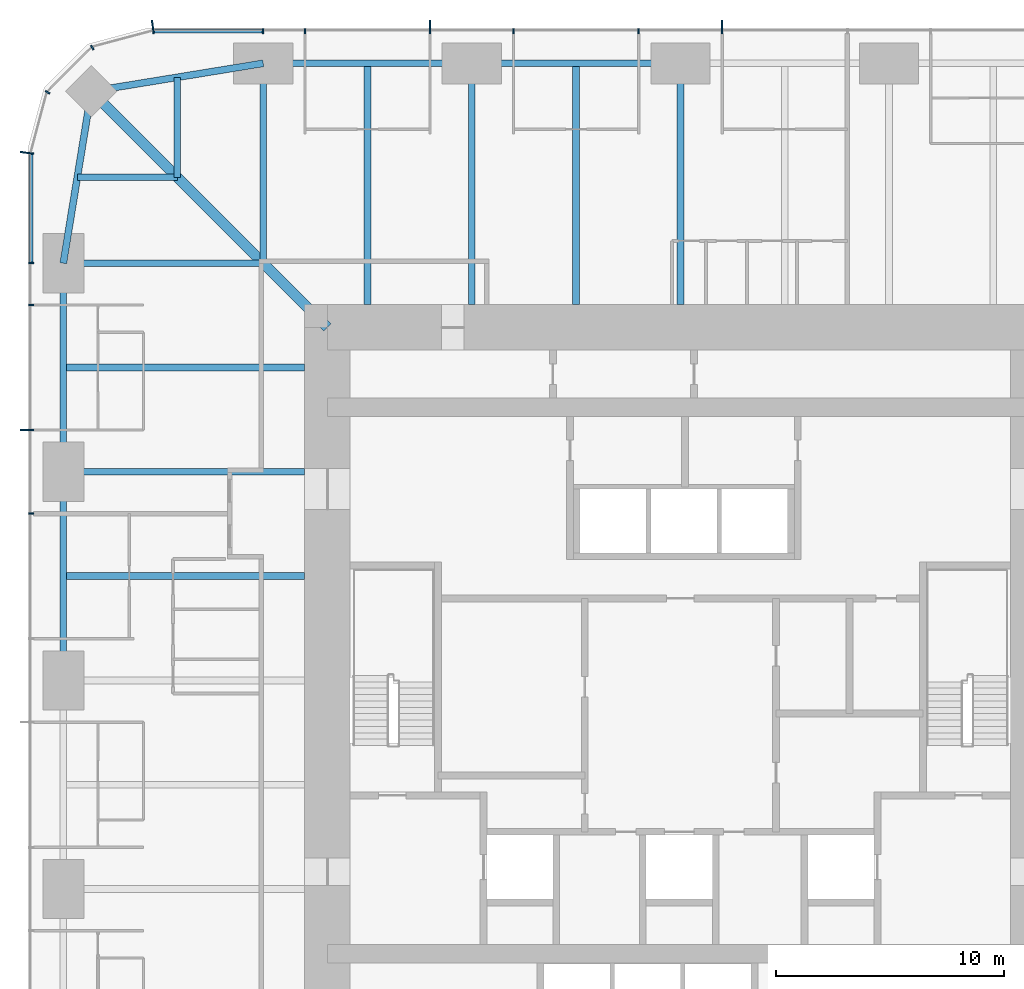
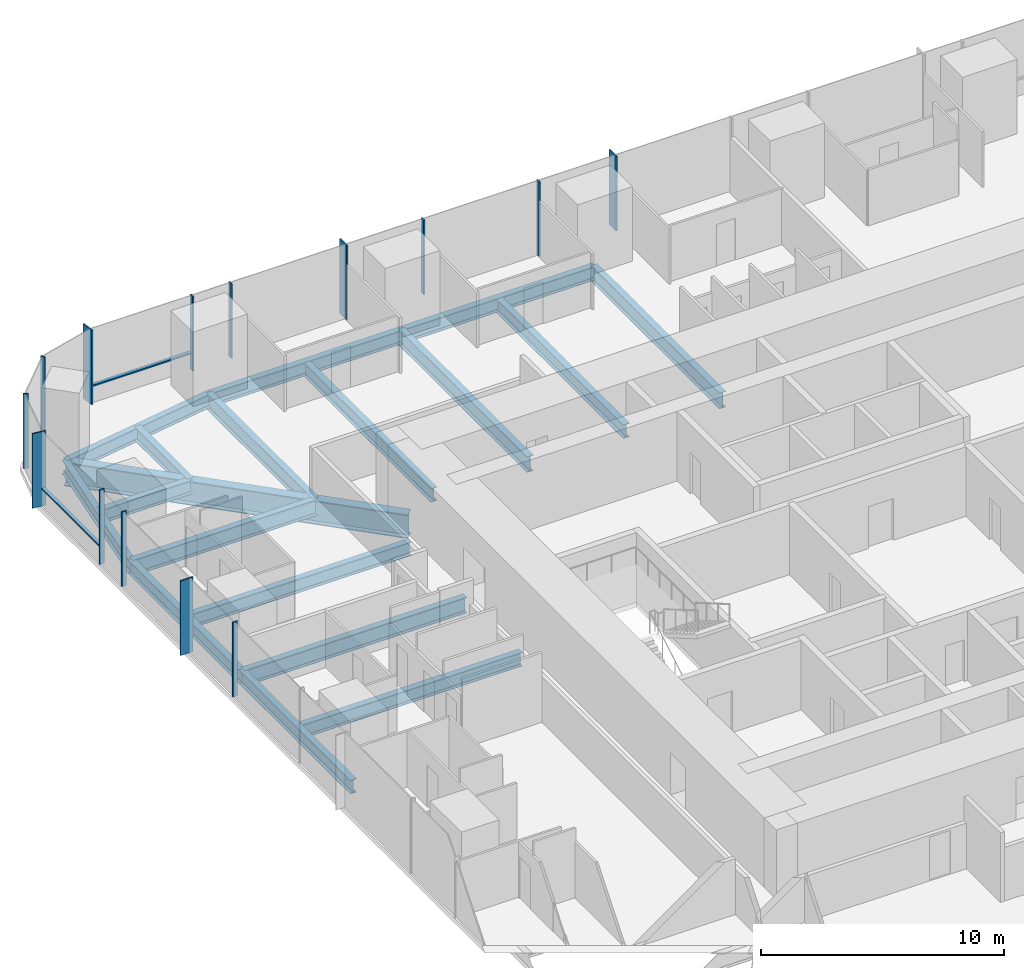
# One storey, part 5 of 13: 18 beams, 16 members, 3 elements without a shape of their own.
"""IFC4 building model written with IfcOpenShell, lengths in metres."""

import ifcopenshell
import ifcopenshell.guid

model = None  # the IFC model being written
_history = None  # IfcOwnerHistory: only IFC2X3 demands one
_inside = {}  # id of a spatial element -> (the spatial element, [elements in it])
_under = {}  # id of a project, library or spatial element -> (it, [spatial elements below it])
_declared = {}  # id of a project -> (the project, [libraries it declares])
_typed = {}  # id of a type object -> (the type object, [elements of that type])
_made_of = {}  # id of a material, layer set ... -> (it, [elements and type objects made of it])


def new_model(schema):
    """Start an empty IFC model of exactly this schema.

    Asked for "IFC4X3", IfcOpenShell would pick the latest addendum, in which some entities
    have other attributes; the version numbers below select the first issue.
    IFC2X3 requires an IfcOwnerHistory on every rooted entity: one is made here for all.
    """
    global model, _history
    if schema == "IFC4X3":
        model = ifcopenshell.file(schema_version=(4, 3, 0, 0))
    else:
        model = ifcopenshell.file(schema=schema)
    _inside.clear()
    _under.clear()
    _declared.clear()
    _typed.clear()
    _made_of.clear()
    _history = None
    if model.schema == "IFC2X3":
        org = make("IfcOrganization", Name="unknown")
        user = make(
            "IfcPersonAndOrganization",
            ThePerson=make("IfcPerson", FamilyName="unknown"),
            TheOrganization=org,
        )
        app = make(
            "IfcApplication",
            ApplicationDeveloper=org,
            Version="unknown",
            ApplicationFullName="unknown",
            ApplicationIdentifier="unknown",
        )
        _history = make(
            "IfcOwnerHistory",
            OwningUser=user,
            OwningApplication=app,
            ChangeAction="ADDED",
            CreationDate=0,
        )
    return model


def make(cls, **values):
    """One entity of the class cls with the attributes given. An attribute that is None is left unset."""
    return model.create_entity(
        cls, **{name: value for name, value in values.items() if value is not None}
    )


def rooted(cls, **values):
    """An entity with a GlobalId (a new one), such as an element, a storey or a relation."""
    return make(cls, GlobalId=ifcopenshell.guid.new(), OwnerHistory=_history, **values)


def si_unit(unit_type, name, prefix=None):
    """IfcSIUnit, for example si_unit("LENGTHUNIT", "METRE", prefix="MILLI")."""
    return make("IfcSIUnit", UnitType=unit_type, Prefix=prefix, Name=name)


def assignment(units):
    """IfcUnitAssignment: the units of a project."""
    return None if units is None else make("IfcUnitAssignment", Units=units)


def point(xyz):
    """IfcCartesianPoint."""
    return None if xyz is None else make("IfcCartesianPoint", Coordinates=xyz)


def direction(xyz):
    """IfcDirection."""
    return None if xyz is None else make("IfcDirection", DirectionRatios=xyz)


def frame(location, z_axis=None, x_axis=None):
    """IfcAxis2Placement3D, a coordinate frame: its origin and axes. An axis left out is left unset."""
    return make(
        "IfcAxis2Placement3D",
        Location=point(location),
        Axis=direction(z_axis),
        RefDirection=direction(x_axis),
    )


def frame_2d(location, x_axis=None):
    """IfcAxis2Placement2D, a coordinate frame in the plane: its origin and x axis."""
    return make(
        "IfcAxis2Placement2D", Location=point(location), RefDirection=direction(x_axis)
    )


def origin():
    """The frame at (0, 0, 0) with its axes left unset."""
    return frame((0.0, 0.0, 0.0))


def origin_2d():
    """The frame at (0, 0) in the plane with its x axis left unset."""
    return frame_2d((0.0, 0.0))


def place(relative_to, where):
    """IfcLocalPlacement: puts the frame where relative to a parent placement (None: the world)."""
    return make(
        "IfcLocalPlacement", PlacementRelTo=relative_to, RelativePlacement=where
    )


def context(
    kind, dimensions, precision=None, world=None, true_north=None, identifier=None
):
    """IfcGeometricRepresentationContext, for example the 3D "Model" context."""
    return make(
        "IfcGeometricRepresentationContext",
        ContextIdentifier=identifier,
        ContextType=kind,
        CoordinateSpaceDimension=dimensions,
        Precision=precision,
        WorldCoordinateSystem=world,
        TrueNorth=true_north,
    )


def subcontext(parent, identifier, kind, view, scale=None):
    """IfcGeometricRepresentationSubContext, for example "Body" below "Model"."""
    return make(
        "IfcGeometricRepresentationSubContext",
        ContextIdentifier=identifier,
        ContextType=kind,
        ParentContext=parent,
        TargetScale=scale,
        TargetView=view,
    )


def project(units=None, contexts=None):
    """IfcProject with its units and contexts."""
    return rooted(
        "IfcProject",
        Name="project",
        RepresentationContexts=contexts,
        UnitsInContext=assignment(units),
    )


def spatial(cls, under=None, at=None, **own):
    """A site, building, storey or space (cls), placed at a placement, below another one or the project."""
    s = rooted(cls, ObjectPlacement=at, **own)
    if under is not None:
        _under.setdefault(under.id(), (under, []))[1].append(s)
    return s


def profile(cls, at=None, kind="AREA", **sizes):
    """A parametric profile (cls). Its sizes go by their IFC names, for example OverallWidth=200.0."""
    return make(cls, ProfileType=kind, Position=at, **sizes)


def rectangle(**sizes):
    """IfcRectangleProfileDef."""
    return profile("IfcRectangleProfileDef", **sizes)


def i_section(**sizes):
    """IfcIShapeProfileDef."""
    return profile("IfcIShapeProfileDef", **sizes)


def extrude(swept, where, along, depth):
    """IfcExtrudedAreaSolid: the profile swept, set in the frame where, extruded along a direction by depth."""
    return make(
        "IfcExtrudedAreaSolid",
        SweptArea=swept,
        Position=where,
        ExtrudedDirection=direction(along),
        Depth=depth,
    )


def shape(context_of_items, identifier, shape_type, items):
    """IfcShapeRepresentation: the items that make up one representation, for example the "Body"."""
    return make(
        "IfcShapeRepresentation",
        ContextOfItems=context_of_items,
        RepresentationIdentifier=identifier,
        RepresentationType=shape_type,
        Items=items,
    )


def material(Name=None, Category=None):
    """IfcMaterial."""
    return make("IfcMaterial", Name=Name, Category=Category)


def material_profile(
    of_material, cross_section, Name=None, Category=None, Priority=None
):
    """IfcMaterialProfile: a cross section and its material."""
    return make(
        "IfcMaterialProfile",
        Name=Name,
        Material=of_material,
        Profile=cross_section,
        Priority=Priority,
        Category=Category,
    )


def profile_set(profiles, Name=None, composite=None):
    """IfcMaterialProfileSet."""
    return make(
        "IfcMaterialProfileSet",
        Name=Name,
        MaterialProfiles=profiles,
        CompositeProfile=composite,
    )


def made_of(thing, what):
    """Note that an element or type object is made of a material, layer set ...; save() writes the relation."""
    if what is not None:
        _made_of.setdefault(what.id(), (what, []))[1].append(thing)
    return thing


def type_object(cls, material=None, **own):
    """A type object (cls), such as IfcWallType, which elements share."""
    return made_of(rooted(cls, **own), material)


def element(
    cls,
    number,
    at=None,
    inside=None,
    cuts=None,
    type_object=None,
    material=None,
    context=None,
    identifier="Body",
    shape_type=None,
    held_by="IfcProductDefinitionShape",
    body=None,
    shapes=None,
    **own,
):
    """One element of the class cls, such as IfcWall. Its Tag is "e" and its number.

    at: its placement. inside: the storey or other place that contains it. cuts: it is an
    opening in that element (IfcRelVoidsElement). A single representation is given by context,
    identifier, shape_type and body (its items); several are given by shapes. held_by: the class
    of the entity that holds the representations. save() writes the other relations.
    """
    e = rooted(cls, Tag="e%d" % number, ObjectPlacement=at, **own)
    if body is not None:
        shapes = [shape(context, identifier, shape_type, body)]
    if shapes is not None:
        e.Representation = make(held_by, Representations=shapes)
    if inside is not None:
        _inside.setdefault(inside.id(), (inside, []))[1].append(e)
    if cuts is not None:
        rooted(
            "IfcRelVoidsElement", RelatingBuildingElement=cuts, RelatedOpeningElement=e
        )
    if type_object is not None:
        _typed.setdefault(type_object.id(), (type_object, []))[1].append(e)
    return made_of(e, material)


def aggregate(whole, parts):
    """IfcRelAggregates: a whole, such as a stair, and the parts it consists of."""
    return rooted("IfcRelAggregates", RelatingObject=whole, RelatedObjects=parts)


def save(model, path):
    """Write the relations noted so far, then the file.

    IfcRelAggregates (storeys below a building ...), IfcRelContainedInSpatialStructure (elements
    in a storey), IfcRelDefinesByType, IfcRelAssociatesMaterial and IfcRelDeclares: one each for
    every whole, place, type object, material and project.
    """
    for whole, parts in _under.values():
        aggregate(whole, parts)
    for where, things in _inside.values():
        rooted(
            "IfcRelContainedInSpatialStructure",
            RelatedElements=things,
            RelatingStructure=where,
        )
    for kind, things in _typed.values():
        rooted("IfcRelDefinesByType", RelatedObjects=things, RelatingType=kind)
    for what, things in _made_of.values():
        rooted("IfcRelAssociatesMaterial", RelatedObjects=things, RelatingMaterial=what)
    for by, libraries in _declared.values():
        rooted("IfcRelDeclares", RelatingContext=by, RelatedDefinitions=libraries)
    model.write(path)


model = new_model("IFC4")

# Units and contexts
model_context = context("Model", 3, precision=1e-05, world=origin(), true_north=direction((0.0, 1.0)))
body_context = subcontext(model_context, "Body", "Model", "MODEL_VIEW")
ifc_project = project(units=[si_unit("LENGTHUNIT", "METRE"), si_unit("AREAUNIT", "SQUARE_METRE"), si_unit("VOLUMEUNIT", "CUBIC_METRE"), si_unit("PLANEANGLEUNIT", "RADIAN"), si_unit("MASSUNIT", "GRAM", prefix="KILO")], contexts=[model_context])

# Site, building, storey
site_placement = place(None, origin())
site = spatial("IfcSite", under=ifc_project, at=site_placement, CompositionType="ELEMENT")
building_placement = place(site_placement, origin())
building = spatial("IfcBuilding", under=site, at=building_placement, Name="Khuree Lantern Residences", CompositionType="ELEMENT")
storey_placement = place(building_placement, frame((0.0, 0.0, 152.25)))
storey = spatial("IfcBuildingStorey", under=building, at=storey_placement, Name="L38", CompositionType="ELEMENT", Elevation=152.25)

# Beams
ifc_material_1 = material(Name="Steel S355", Category="steel")
ifc_material_profile_1 = material_profile(ifc_material_1, i_section(OverallWidth=0.300048828125, OverallDepth=0.68994140625, WebThickness=0.014404296875, FlangeThickness=0.027099609375, FilletRadius=0.027099609375, at=origin_2d()), Name="HE 700 A")
ifc_profile_set_1 = profile_set([ifc_material_profile_1], Name="Steel S355")
beam_type_1 = type_object("IfcBeamType", Name="B-24 SECONDARY BEAM HE 700 A", PredefinedType="BEAM", material=ifc_profile_set_1)
for number, where, z_axis, x_axis, name in (
    (1, (-13.739990234375, 27.10009765625, -0.594970703125), (0.0, -1.0, 0.0), (1.0, 0.0, 0.0), "Secondary beam N1"),
    (2, (-4.580078125, 27.10009765625, -0.594970703125), (0.0, -1.0, 0.0), (1.0, 0.0, 0.0), "Secondary beam N2"),
    (3, (-27.10009765625, 4.580078125, -0.594970703125), (1.0, 0.0, 0.0), (0.0, 1.0, 0.0), "Secondary beam W4"),
    (4, (-27.10009765625, 13.739990234375, -0.594970703125), (1.0, 0.0, 0.0), (0.0, 1.0, 0.0), "Secondary beam W5"),
):
    element("IfcBeam", number, at=place(storey_placement, frame(where, z_axis=z_axis, x_axis=x_axis)), inside=storey, type_object=beam_type_1, Name=name, PredefinedType="BEAM", context=body_context, shape_type="SweptSolid", body=[
        extrude(i_section(OverallWidth=0.300048828125, OverallDepth=0.68994140625, WebThickness=0.014404296875, FlangeThickness=0.027099609375, FilletRadius=0.027099609375, at=origin_2d()), origin(), (0.0, 0.0, 1.0), 10.60009765625),
    ])
for number, where, z_axis, x_axis, name in (
    (5, (-26.48486328125, 22.094970703125, -0.594970703125), (1.0, 0.0, 0.0), (0.0, 1.0, 0.0), "Secondary beam W6"),
    (6, (-22.094970703125, 26.48486328125, -0.594970703125), (0.0, -1.0, 0.0), (1.0, 0.0, 0.0), "Secondary beam N6"),
):
    element("IfcBeam", number, at=place(storey_placement, frame(where, z_axis=z_axis, x_axis=x_axis)), inside=storey, type_object=beam_type_1, Name=name, PredefinedType="BEAM", context=body_context, shape_type="SweptSolid", body=[
        extrude(i_section(OverallWidth=0.300048828125, OverallDepth=0.68994140625, WebThickness=0.014404296875, FlangeThickness=0.027099609375, FilletRadius=0.027099609375, at=origin_2d()), origin(), (0.0, 0.0, 1.0), 4.389892578125),
    ])
ifc_material_profile_2 = material_profile(ifc_material_1, i_section(OverallWidth=0.300048828125, OverallDepth=0.68994140625, WebThickness=0.014404296875, FlangeThickness=0.027099609375, FilletRadius=0.027099609375, at=origin_2d()), Name="HE 700 A")
ifc_profile_set_2 = profile_set([ifc_material_profile_2], Name="Steel S355")
beam_type_2 = type_object("IfcBeamType", Name="E-24 SPANDREL BEAM HE 700 A", PredefinedType="SPANDREL", material=ifc_profile_set_2)
beam_1_placement = place(storey_placement, frame((-18.320068359375, 27.10009765625, -0.594970703125), z_axis=(1.0, 0.0, 0.0), x_axis=(0.0, 1.0, 0.0)))
element("IfcBeam", 7, at=beam_1_placement, inside=storey, type_object=beam_type_2, Name="Spandrel beam N1", PredefinedType="SPANDREL", context=body_context, shape_type="SweptSolid", body=[
    extrude(i_section(OverallWidth=0.300048828125, OverallDepth=0.68994140625, WebThickness=0.014404296875, FlangeThickness=0.027099609375, FilletRadius=0.027099609375, at=origin_2d()), origin(), (0.0, 0.0, 1.0), 9.16015625),
])
for number, where, z_axis, x_axis, name in (
    (8, (-9.159912109375, 27.10009765625, -0.594970703125), (1.0, 0.0, 0.0), (0.0, 1.0, 0.0), "Spandrel beam N2"),
    (9, (-27.10009765625, 0.0, -0.594970703125), (0.0, 1.0, 0.0), (-1.0, 0.0, 0.0), "Spandrel beam W4"),
):
    element("IfcBeam", number, at=place(storey_placement, frame(where, z_axis=z_axis, x_axis=x_axis)), inside=storey, type_object=beam_type_2, Name=name, PredefinedType="SPANDREL", context=body_context, shape_type="SweptSolid", body=[
        extrude(i_section(OverallWidth=0.300048828125, OverallDepth=0.68994140625, WebThickness=0.014404296875, FlangeThickness=0.027099609375, FilletRadius=0.027099609375, at=origin_2d()), origin(), (0.0, 0.0, 1.0), 9.159912109375),
    ])
beam_2_placement = place(storey_placement, frame((-27.10009765625, 9.159912109375, -0.594970703125), z_axis=(0.0, 1.0, 0.0), x_axis=(-1.0, 0.0, 0.0)))
element("IfcBeam", 10, at=beam_2_placement, inside=storey, type_object=beam_type_2, Name="Spandrel beam W5", PredefinedType="SPANDREL", context=body_context, shape_type="SweptSolid", body=[
    extrude(i_section(OverallWidth=0.300048828125, OverallDepth=0.68994140625, WebThickness=0.014404296875, FlangeThickness=0.027099609375, FilletRadius=0.027099609375, at=origin_2d()), origin(), (0.0, 0.0, 1.0), 9.16015625),
])
for number, where, z_axis, x_axis, name in (
    (11, (-27.10009765625, 18.320068359375, -0.594970703125), (0.160826723833, 0.986982656839, 0.0), (-0.986982656839, 0.160826723833, 0.0), "Spandrel beam W6"),
    (12, (-25.869873046875, 25.869873046875, -0.594970703125), (0.986982656839, 0.160826723833, 0.0), (-0.160826723833, 0.986982656839, 0.0), "Spandrel beam N6"),
):
    element("IfcBeam", number, at=place(storey_placement, frame(where, z_axis=z_axis, x_axis=x_axis)), inside=storey, type_object=beam_type_2, Name=name, PredefinedType="SPANDREL", context=body_context, shape_type="SweptSolid", body=[
        extrude(i_section(OverallWidth=0.300048828125, OverallDepth=0.68994140625, WebThickness=0.014404296875, FlangeThickness=0.027099609375, FilletRadius=0.027099609375, at=origin_2d()), origin(), (0.0, 0.0, 1.0), 7.6494140625),
    ])

# Curtain wall, members
ifc_material_2 = material(Name="Bronze anodised aluminium", Category="aluminium")
curtain_wall_type_1 = type_object("IfcCurtainWallType", Name="CW-T1 TOWER FACE CURTAIN WALL", PredefinedType="USERDEFINED", material=ifc_material_2)
curtain_wall_1_placement = place(storey_placement, origin())
curtain_wall_1 = element("IfcCurtainWall", 13, at=curtain_wall_1_placement, inside=storey, type_object=curtain_wall_type_1, Name="L38 NORTH FACE CURTAIN WALL", ObjectType="Stick-built curtain wall", PredefinedType="USERDEFINED")
ifc_material_profile_3 = material_profile(ifc_material_2, rectangle(XDim=0.06494140625, YDim=0.60009765625, at=origin_2d()), Name="F1 65X600")
ifc_profile_set_3 = profile_set([ifc_material_profile_3], Name="Bronze anodised aluminium")
member_type_1 = type_object("IfcMemberType", Name="F1 BRONZE FIN MULLION TOWER 65X600", PredefinedType="MULLION", material=ifc_profile_set_3)
member_1_placement = place(storey_placement, frame((1.83203125, 28.699951171875, 0.0), z_axis=(0.0, 0.0, 1.0), x_axis=(-1.0, 0.0, 0.0)))
member_1 = element("IfcMember", 14, at=member_1_placement, type_object=member_type_1, Name="L38 NORTH FACE FIN MULLION 23", PredefinedType="MULLION", context=body_context, shape_type="SweptSolid", body=[
    extrude(rectangle(XDim=0.06494140625, YDim=0.60009765625, at=origin_2d()), origin(), (0.0, 0.0, 1.0), 3.75),
])
member_2_placement = place(storey_placement, frame((-10.991943359375, 28.699951171875, 0.0), z_axis=(0.0, 0.0, 1.0), x_axis=(-1.0, 0.0, 0.0)))
member_2 = element("IfcMember", 15, at=member_2_placement, type_object=member_type_1, Name="L38 NORTH FACE FIN MULLION 26", PredefinedType="MULLION", context=body_context, shape_type="SweptSolid", body=[
    extrude(rectangle(XDim=0.06494140625, YDim=0.60009765625, at=origin_2d()), origin(), (0.0, 0.0, 1.0), 3.75),
])

# Curtain wall, member
curtain_wall_type_2 = type_object("IfcCurtainWallType", Name="CW-T2 TOWER CORNER CURTAIN WALL", PredefinedType="USERDEFINED", material=ifc_material_2)
curtain_wall_2_placement = place(storey_placement, origin())
curtain_wall_2 = element("IfcCurtainWall", 16, at=curtain_wall_2_placement, inside=storey, type_object=curtain_wall_type_2, Name="L38 NORTH-WEST CORNER CURTAIN WALL", ObjectType="Faceted corner curtain wall", PredefinedType="USERDEFINED")
member_3_placement = place(storey_placement, frame((-23.169677734375, 28.7001953125, 0.0), z_axis=(0.0, 0.0, 1.0), x_axis=(-0.991444857305, -0.130526223125, 0.0)))
member_3 = element("IfcMember", 17, at=member_3_placement, type_object=member_type_1, Name="L38 NORTH-WEST CORNER FIN MULLION 29", PredefinedType="MULLION", context=body_context, shape_type="SweptSolid", body=[
    extrude(rectangle(XDim=0.06494140625, YDim=0.60009765625, at=origin_2d()), origin(), (0.0, 0.0, 1.0), 3.75),
])

# Curtain wall, members
curtain_wall_3_placement = place(storey_placement, origin())
curtain_wall_3 = element("IfcCurtainWall", 18, at=curtain_wall_3_placement, inside=storey, type_object=curtain_wall_type_1, Name="L38 WEST FACE CURTAIN WALL", ObjectType="Stick-built curtain wall", PredefinedType="USERDEFINED")
member_4_placement = place(storey_placement, frame((-28.7001953125, 23.169677734375, 0.0), z_axis=(0.0, 0.0, 1.0), x_axis=(-0.130526223125, -0.991444857305, 0.0)))
member_4 = element("IfcMember", 19, at=member_4_placement, type_object=member_type_1, Name="L38 WEST FACE FIN MULLION 32", PredefinedType="MULLION", context=body_context, shape_type="SweptSolid", body=[
    extrude(rectangle(XDim=0.06494140625, YDim=0.60009765625, at=origin_2d()), origin(), (0.0, 0.0, 1.0), 3.75),
])
member_5_placement = place(storey_placement, frame((-28.699951171875, 10.991943359375, 0.0), z_axis=(0.0, 0.0, 1.0), x_axis=(0.0, -1.0, 0.0)))
member_5 = element("IfcMember", 20, at=member_5_placement, type_object=member_type_1, Name="L38 WEST FACE FIN MULLION 35", PredefinedType="MULLION", context=body_context, shape_type="SweptSolid", body=[
    extrude(rectangle(XDim=0.06494140625, YDim=0.60009765625, at=origin_2d()), origin(), (0.0, 0.0, 1.0), 3.75),
])

# Beams
ifc_material_profile_4 = material_profile(ifc_material_1, i_section(OverallWidth=0.300048828125, OverallDepth=0.800048828125, WebThickness=0.017578125, FlangeThickness=0.032958984375, FilletRadius=0.030029296875, at=origin_2d()), Name="HE 800 B")
ifc_profile_set_4 = profile_set([ifc_material_profile_4], Name="Steel S355")
beam_type_3 = type_object("IfcBeamType", Name="G-24 GIRDER HE 800 B", PredefinedType="BEAM", material=ifc_profile_set_4)
beam_3_placement = place(storey_placement, frame((-18.320068359375, 27.10009765625, -0.64990234375), z_axis=(0.0, -1.0, 0.0), x_axis=(1.0, 0.0, 0.0)))
element("IfcBeam", 21, at=beam_3_placement, inside=storey, type_object=beam_type_3, Name="Girder N1", PredefinedType="BEAM", context=body_context, shape_type="SweptSolid", body=[
    extrude(i_section(OverallWidth=0.300048828125, OverallDepth=0.800048828125, WebThickness=0.017578125, FlangeThickness=0.032958984375, FilletRadius=0.030029296875, at=origin_2d()), origin(), (0.0, 0.0, 1.0), 8.780029296875),
])
for number, where, z_axis, x_axis, name in (
    (22, (-9.159912109375, 27.10009765625, -0.64990234375), (0.0, -1.0, 0.0), (1.0, 0.0, 0.0), "Girder N2"),
    (23, (0.0, 27.10009765625, -0.64990234375), (0.0, -1.0, 0.0), (1.0, 0.0, 0.0), "Girder N3"),
    (24, (-27.10009765625, 9.159912109375, -0.64990234375), (1.0, 0.0, 0.0), (0.0, 1.0, 0.0), "Girder W4"),
):
    element("IfcBeam", number, at=place(storey_placement, frame(where, z_axis=z_axis, x_axis=x_axis)), inside=storey, type_object=beam_type_3, Name=name, PredefinedType="BEAM", context=body_context, shape_type="SweptSolid", body=[
        extrude(i_section(OverallWidth=0.300048828125, OverallDepth=0.800048828125, WebThickness=0.017578125, FlangeThickness=0.032958984375, FilletRadius=0.030029296875, at=origin_2d()), origin(), (0.0, 0.0, 1.0), 10.60009765625),
    ])
beam_4_placement = place(storey_placement, frame((-27.10009765625, 18.320068359375, -0.64990234375), z_axis=(1.0, 0.0, 0.0), x_axis=(0.0, 1.0, 0.0)))
element("IfcBeam", 25, at=beam_4_placement, inside=storey, type_object=beam_type_3, Name="Girder W5", PredefinedType="BEAM", context=body_context, shape_type="SweptSolid", body=[
    extrude(i_section(OverallWidth=0.300048828125, OverallDepth=0.800048828125, WebThickness=0.017578125, FlangeThickness=0.032958984375, FilletRadius=0.030029296875, at=origin_2d()), origin(), (0.0, 0.0, 1.0), 8.780029296875),
])
ifc_material_profile_5 = material_profile(ifc_material_1, i_section(OverallWidth=0.449951171875, OverallDepth=1.199951171875, WebThickness=0.02490234375, FlangeThickness=0.044921875, at=origin_2d()), Name="WELDED I 1200X450X25X45")
ifc_profile_set_5 = profile_set([ifc_material_profile_5], Name="Steel S355")
beam_type_4 = type_object("IfcBeamType", Name="GD-24 CORNER GIRDER WELDED I 1200X450X25X45", PredefinedType="BEAM", material=ifc_profile_set_5)
beam_5_placement = place(storey_placement, frame((-25.869873046875, 25.869873046875, -0.85009765625), z_axis=(0.707106781187, -0.707106781187, 0.0), x_axis=(0.707106781187, 0.707106781187, 0.0)))
element("IfcBeam", 26, at=beam_5_placement, inside=storey, type_object=beam_type_4, Name="Corner girder NW", PredefinedType="BEAM", context=body_context, shape_type="SweptSolid", body=[
    extrude(i_section(OverallWidth=0.449951171875, OverallDepth=1.199951171875, WebThickness=0.02490234375, FlangeThickness=0.044921875, at=origin_2d()), origin(), (0.0, 0.0, 1.0), 14.665283203125),
])

# Member
ifc_material_profile_6 = material_profile(ifc_material_2, rectangle(XDim=0.06494140625, YDim=0.219970703125, at=origin_2d()), Name="M1 65X220")
ifc_profile_set_6 = profile_set([ifc_material_profile_6], Name="Bronze anodised aluminium")
member_type_2 = type_object("IfcMemberType", Name="M1 BRONZE MULLION TOWER 65X220", PredefinedType="MULLION", material=ifc_profile_set_6)
member_6_placement = place(storey_placement, frame((-1.83203125, 28.510009765625, 0.0), z_axis=(0.0, 0.0, 1.0), x_axis=(-1.0, 0.0, 0.0)))
member_6 = element("IfcMember", 27, at=member_6_placement, type_object=member_type_2, Name="L38 NORTH FACE MULLION 24", PredefinedType="MULLION", context=body_context, shape_type="SweptSolid", body=[
    extrude(rectangle(XDim=0.06494140625, YDim=0.219970703125, at=origin_2d()), origin(), (0.0, 0.0, 1.0), 3.75),
])

member_7_placement = place(storey_placement, frame((-7.327880859375, 28.510009765625, 0.0), z_axis=(0.0, 0.0, 1.0), x_axis=(-1.0, 0.0, 0.0)))
member_7 = element("IfcMember", 28, at=member_7_placement, type_object=member_type_2, Name="L38 NORTH FACE MULLION 25", PredefinedType="MULLION", context=body_context, shape_type="SweptSolid", body=[
    extrude(rectangle(XDim=0.06494140625, YDim=0.219970703125, at=origin_2d()), origin(), (0.0, 0.0, 1.0), 3.75),
])

member_8_placement = place(storey_placement, frame((-16.488037109375, 28.510009765625, 0.0), z_axis=(0.0, 0.0, 1.0), x_axis=(-1.0, 0.0, 0.0)))
member_8 = element("IfcMember", 29, at=member_8_placement, type_object=member_type_2, Name="L38 NORTH FACE MULLION 27", PredefinedType="MULLION", context=body_context, shape_type="SweptSolid", body=[
    extrude(rectangle(XDim=0.06494140625, YDim=0.219970703125, at=origin_2d()), origin(), (0.0, 0.0, 1.0), 3.75),
])

member_9_placement = place(storey_placement, frame((-18.320068359375, 28.510009765625, 0.0), z_axis=(0.0, 0.0, 1.0), x_axis=(-1.0, 0.0, 0.0)))
member_9 = element("IfcMember", 30, at=member_9_placement, type_object=member_type_2, Name="L38 NORTH FACE MULLION 28", PredefinedType="MULLION", context=body_context, shape_type="SweptSolid", body=[
    extrude(rectangle(XDim=0.06494140625, YDim=0.219970703125, at=origin_2d()), origin(), (0.0, 0.0, 1.0), 3.75),
])

member_10_placement = place(storey_placement, frame((-25.830078125, 27.7919921875, 0.0), z_axis=(0.0, 0.0, 1.0), x_axis=(-0.866025388199, -0.500000026995, 0.0)))
member_10 = element("IfcMember", 31, at=member_10_placement, type_object=member_type_2, Name="L38 NORTH-WEST CORNER MULLION 30", PredefinedType="MULLION", context=body_context, shape_type="SweptSolid", body=[
    extrude(rectangle(XDim=0.06494140625, YDim=0.219970703125, at=origin_2d()), origin(), (0.0, 0.0, 1.0), 3.75),
])

member_11_placement = place(storey_placement, frame((-27.7919921875, 25.830078125, 0.0), z_axis=(0.0, 0.0, 1.0), x_axis=(-0.500000026995, -0.866025388199, 0.0)))
member_11 = element("IfcMember", 32, at=member_11_placement, type_object=member_type_2, Name="L38 NORTH-WEST CORNER MULLION 31", PredefinedType="MULLION", context=body_context, shape_type="SweptSolid", body=[
    extrude(rectangle(XDim=0.06494140625, YDim=0.219970703125, at=origin_2d()), origin(), (0.0, 0.0, 1.0), 3.75),
])

aggregate(curtain_wall_2, [member_3, member_10, member_11])

member_12_placement = place(storey_placement, frame((-28.510009765625, 18.320068359375, 0.0), z_axis=(0.0, 0.0, 1.0), x_axis=(0.0, -1.0, 0.0)))
member_12 = element("IfcMember", 33, at=member_12_placement, type_object=member_type_2, Name="L38 WEST FACE MULLION 33", PredefinedType="MULLION", context=body_context, shape_type="SweptSolid", body=[
    extrude(rectangle(XDim=0.06494140625, YDim=0.219970703125, at=origin_2d()), origin(), (0.0, 0.0, 1.0), 3.75),
])

member_13_placement = place(storey_placement, frame((-28.510009765625, 16.488037109375, 0.0), z_axis=(0.0, 0.0, 1.0), x_axis=(0.0, -1.0, 0.0)))
member_13 = element("IfcMember", 34, at=member_13_placement, type_object=member_type_2, Name="L38 WEST FACE MULLION 34", PredefinedType="MULLION", context=body_context, shape_type="SweptSolid", body=[
    extrude(rectangle(XDim=0.06494140625, YDim=0.219970703125, at=origin_2d()), origin(), (0.0, 0.0, 1.0), 3.75),
])

member_14_placement = place(storey_placement, frame((-28.510009765625, 7.327880859375, 0.0), z_axis=(0.0, 0.0, 1.0), x_axis=(0.0, -1.0, 0.0)))
member_14 = element("IfcMember", 35, at=member_14_placement, type_object=member_type_2, Name="L38 WEST FACE MULLION 36", PredefinedType="MULLION", context=body_context, shape_type="SweptSolid", body=[
    extrude(rectangle(XDim=0.06494140625, YDim=0.219970703125, at=origin_2d()), origin(), (0.0, 0.0, 1.0), 3.75),
])

ifc_material_profile_7 = material_profile(ifc_material_2, rectangle(XDim=0.179931640625, YDim=0.06494140625, at=origin_2d()), Name="T1 180X65")
ifc_profile_set_7 = profile_set([ifc_material_profile_7], Name="Bronze anodised aluminium")
member_type_3 = type_object("IfcMemberType", Name="TRANSOM T1 TOWER 180X65", PredefinedType="USERDEFINED", material=ifc_profile_set_7)
member_15_placement = place(storey_placement, frame((-18.3525390625, 28.52001953125, 0.89990234375), z_axis=(-1.0, 0.0, 0.0), x_axis=(0.0, -1.0, 0.0)))
member_15 = element("IfcMember", 36, at=member_15_placement, type_object=member_type_3, Name="L38 NORTH FACE TRANSOM 28.1", ObjectType="Transom", PredefinedType="USERDEFINED", context=body_context, shape_type="SweptSolid", body=[
    extrude(rectangle(XDim=0.179931640625, YDim=0.06494140625, at=origin_2d()), origin(), (0.0, 0.0, 1.0), 4.748779296875),
])

aggregate(curtain_wall_1, [member_1, member_6, member_7, member_2, member_8, member_9, member_15])

member_16_placement = place(storey_placement, frame((-28.52001953125, 23.101318359375, 0.89990234375), z_axis=(0.0, -1.0, 0.0), x_axis=(1.0, 0.0, 0.0)))
member_16 = element("IfcMember", 37, at=member_16_placement, type_object=member_type_3, Name="L38 WEST FACE TRANSOM 32.1", ObjectType="Transom", PredefinedType="USERDEFINED", context=body_context, shape_type="SweptSolid", body=[
    extrude(rectangle(XDim=0.179931640625, YDim=0.06494140625, at=origin_2d()), origin(), (0.0, 0.0, 1.0), 4.748779296875),
])

aggregate(curtain_wall_3, [member_4, member_12, member_13, member_5, member_14, member_16])

save(model, "model.ifc")
